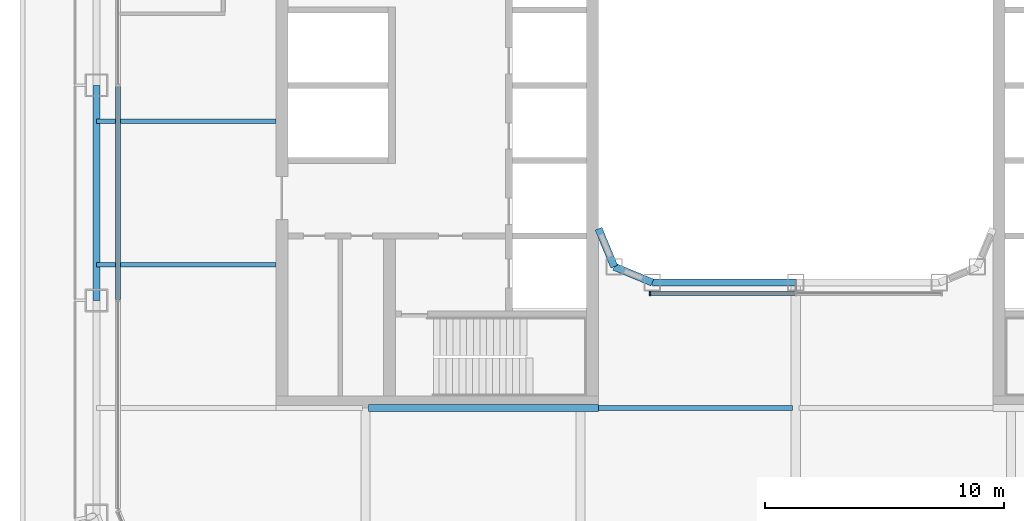
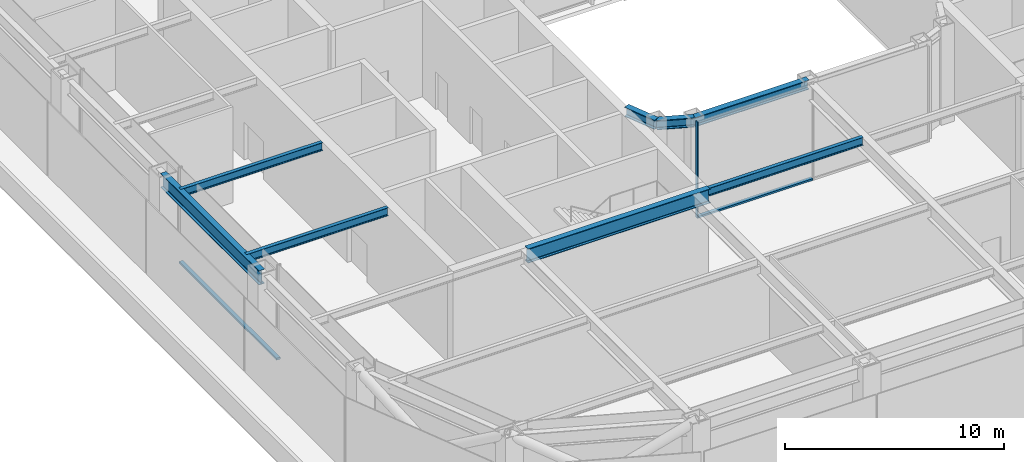
# One storey, part 3 of 21: 8 beams, 3 members, 2 elements without a shape of their own.
"""IFC4 building model written with IfcOpenShell, lengths in metres."""

import ifcopenshell
import ifcopenshell.guid

model = None  # the IFC model being written
_history = None  # IfcOwnerHistory: only IFC2X3 demands one
_inside = {}  # id of a spatial element -> (the spatial element, [elements in it])
_under = {}  # id of a project, library or spatial element -> (it, [spatial elements below it])
_declared = {}  # id of a project -> (the project, [libraries it declares])
_typed = {}  # id of a type object -> (the type object, [elements of that type])
_made_of = {}  # id of a material, layer set ... -> (it, [elements and type objects made of it])


def new_model(schema):
    """Start an empty IFC model of exactly this schema.

    Asked for "IFC4X3", IfcOpenShell would pick the latest addendum, in which some entities
    have other attributes; the version numbers below select the first issue.
    IFC2X3 requires an IfcOwnerHistory on every rooted entity: one is made here for all.
    """
    global model, _history
    if schema == "IFC4X3":
        model = ifcopenshell.file(schema_version=(4, 3, 0, 0))
    else:
        model = ifcopenshell.file(schema=schema)
    _inside.clear()
    _under.clear()
    _declared.clear()
    _typed.clear()
    _made_of.clear()
    _history = None
    if model.schema == "IFC2X3":
        org = make("IfcOrganization", Name="unknown")
        user = make(
            "IfcPersonAndOrganization",
            ThePerson=make("IfcPerson", FamilyName="unknown"),
            TheOrganization=org,
        )
        app = make(
            "IfcApplication",
            ApplicationDeveloper=org,
            Version="unknown",
            ApplicationFullName="unknown",
            ApplicationIdentifier="unknown",
        )
        _history = make(
            "IfcOwnerHistory",
            OwningUser=user,
            OwningApplication=app,
            ChangeAction="ADDED",
            CreationDate=0,
        )
    return model


def make(cls, **values):
    """One entity of the class cls with the attributes given. An attribute that is None is left unset."""
    return model.create_entity(
        cls, **{name: value for name, value in values.items() if value is not None}
    )


def rooted(cls, **values):
    """An entity with a GlobalId (a new one), such as an element, a storey or a relation."""
    return make(cls, GlobalId=ifcopenshell.guid.new(), OwnerHistory=_history, **values)


def si_unit(unit_type, name, prefix=None):
    """IfcSIUnit, for example si_unit("LENGTHUNIT", "METRE", prefix="MILLI")."""
    return make("IfcSIUnit", UnitType=unit_type, Prefix=prefix, Name=name)


def assignment(units):
    """IfcUnitAssignment: the units of a project."""
    return None if units is None else make("IfcUnitAssignment", Units=units)


def point(xyz):
    """IfcCartesianPoint."""
    return None if xyz is None else make("IfcCartesianPoint", Coordinates=xyz)


def direction(xyz):
    """IfcDirection."""
    return None if xyz is None else make("IfcDirection", DirectionRatios=xyz)


def frame(location, z_axis=None, x_axis=None):
    """IfcAxis2Placement3D, a coordinate frame: its origin and axes. An axis left out is left unset."""
    return make(
        "IfcAxis2Placement3D",
        Location=point(location),
        Axis=direction(z_axis),
        RefDirection=direction(x_axis),
    )


def frame_2d(location, x_axis=None):
    """IfcAxis2Placement2D, a coordinate frame in the plane: its origin and x axis."""
    return make(
        "IfcAxis2Placement2D", Location=point(location), RefDirection=direction(x_axis)
    )


def origin():
    """The frame at (0, 0, 0) with its axes left unset."""
    return frame((0.0, 0.0, 0.0))


def origin_2d():
    """The frame at (0, 0) in the plane with its x axis left unset."""
    return frame_2d((0.0, 0.0))


def place(relative_to, where):
    """IfcLocalPlacement: puts the frame where relative to a parent placement (None: the world)."""
    return make(
        "IfcLocalPlacement", PlacementRelTo=relative_to, RelativePlacement=where
    )


def context(
    kind, dimensions, precision=None, world=None, true_north=None, identifier=None
):
    """IfcGeometricRepresentationContext, for example the 3D "Model" context."""
    return make(
        "IfcGeometricRepresentationContext",
        ContextIdentifier=identifier,
        ContextType=kind,
        CoordinateSpaceDimension=dimensions,
        Precision=precision,
        WorldCoordinateSystem=world,
        TrueNorth=true_north,
    )


def subcontext(parent, identifier, kind, view, scale=None):
    """IfcGeometricRepresentationSubContext, for example "Body" below "Model"."""
    return make(
        "IfcGeometricRepresentationSubContext",
        ContextIdentifier=identifier,
        ContextType=kind,
        ParentContext=parent,
        TargetScale=scale,
        TargetView=view,
    )


def project(units=None, contexts=None):
    """IfcProject with its units and contexts."""
    return rooted(
        "IfcProject",
        Name="project",
        RepresentationContexts=contexts,
        UnitsInContext=assignment(units),
    )


def spatial(cls, under=None, at=None, **own):
    """A site, building, storey or space (cls), placed at a placement, below another one or the project."""
    s = rooted(cls, ObjectPlacement=at, **own)
    if under is not None:
        _under.setdefault(under.id(), (under, []))[1].append(s)
    return s


def profile(cls, at=None, kind="AREA", **sizes):
    """A parametric profile (cls). Its sizes go by their IFC names, for example OverallWidth=200.0."""
    return make(cls, ProfileType=kind, Position=at, **sizes)


def rectangle(**sizes):
    """IfcRectangleProfileDef."""
    return profile("IfcRectangleProfileDef", **sizes)


def i_section(**sizes):
    """IfcIShapeProfileDef."""
    return profile("IfcIShapeProfileDef", **sizes)


def extrude(swept, where, along, depth):
    """IfcExtrudedAreaSolid: the profile swept, set in the frame where, extruded along a direction by depth."""
    return make(
        "IfcExtrudedAreaSolid",
        SweptArea=swept,
        Position=where,
        ExtrudedDirection=direction(along),
        Depth=depth,
    )


def shape(context_of_items, identifier, shape_type, items):
    """IfcShapeRepresentation: the items that make up one representation, for example the "Body"."""
    return make(
        "IfcShapeRepresentation",
        ContextOfItems=context_of_items,
        RepresentationIdentifier=identifier,
        RepresentationType=shape_type,
        Items=items,
    )


def material(Name=None, Category=None):
    """IfcMaterial."""
    return make("IfcMaterial", Name=Name, Category=Category)


def layer(
    of_material, thickness, ventilated=None, Name=None, Category=None, Priority=None
):
    """IfcMaterialLayer: one layer of a wall or slab, of a material (None: an air gap)."""
    return make(
        "IfcMaterialLayer",
        Material=of_material,
        LayerThickness=thickness,
        IsVentilated=ventilated,
        Name=Name,
        Category=Category,
        Priority=Priority,
    )


def layer_set(layers, Name=None):
    """IfcMaterialLayerSet."""
    return make("IfcMaterialLayerSet", MaterialLayers=layers, LayerSetName=Name)


def material_profile(
    of_material, cross_section, Name=None, Category=None, Priority=None
):
    """IfcMaterialProfile: a cross section and its material."""
    return make(
        "IfcMaterialProfile",
        Name=Name,
        Material=of_material,
        Profile=cross_section,
        Priority=Priority,
        Category=Category,
    )


def profile_set(profiles, Name=None, composite=None):
    """IfcMaterialProfileSet."""
    return make(
        "IfcMaterialProfileSet",
        Name=Name,
        MaterialProfiles=profiles,
        CompositeProfile=composite,
    )


def made_of(thing, what):
    """Note that an element or type object is made of a material, layer set ...; save() writes the relation."""
    if what is not None:
        _made_of.setdefault(what.id(), (what, []))[1].append(thing)
    return thing


def type_object(cls, material=None, **own):
    """A type object (cls), such as IfcWallType, which elements share."""
    return made_of(rooted(cls, **own), material)


def element(
    cls,
    number,
    at=None,
    inside=None,
    cuts=None,
    type_object=None,
    material=None,
    context=None,
    identifier="Body",
    shape_type=None,
    held_by="IfcProductDefinitionShape",
    body=None,
    shapes=None,
    **own,
):
    """One element of the class cls, such as IfcWall. Its Tag is "e" and its number.

    at: its placement. inside: the storey or other place that contains it. cuts: it is an
    opening in that element (IfcRelVoidsElement). A single representation is given by context,
    identifier, shape_type and body (its items); several are given by shapes. held_by: the class
    of the entity that holds the representations. save() writes the other relations.
    """
    e = rooted(cls, Tag="e%d" % number, ObjectPlacement=at, **own)
    if body is not None:
        shapes = [shape(context, identifier, shape_type, body)]
    if shapes is not None:
        e.Representation = make(held_by, Representations=shapes)
    if inside is not None:
        _inside.setdefault(inside.id(), (inside, []))[1].append(e)
    if cuts is not None:
        rooted(
            "IfcRelVoidsElement", RelatingBuildingElement=cuts, RelatedOpeningElement=e
        )
    if type_object is not None:
        _typed.setdefault(type_object.id(), (type_object, []))[1].append(e)
    return made_of(e, material)


def aggregate(whole, parts):
    """IfcRelAggregates: a whole, such as a stair, and the parts it consists of."""
    return rooted("IfcRelAggregates", RelatingObject=whole, RelatedObjects=parts)


def save(model, path):
    """Write the relations noted so far, then the file.

    IfcRelAggregates (storeys below a building ...), IfcRelContainedInSpatialStructure (elements
    in a storey), IfcRelDefinesByType, IfcRelAssociatesMaterial and IfcRelDeclares: one each for
    every whole, place, type object, material and project.
    """
    for whole, parts in _under.values():
        aggregate(whole, parts)
    for where, things in _inside.values():
        rooted(
            "IfcRelContainedInSpatialStructure",
            RelatedElements=things,
            RelatingStructure=where,
        )
    for kind, things in _typed.values():
        rooted("IfcRelDefinesByType", RelatedObjects=things, RelatingType=kind)
    for what, things in _made_of.values():
        rooted("IfcRelAssociatesMaterial", RelatedObjects=things, RelatingMaterial=what)
    for by, libraries in _declared.values():
        rooted("IfcRelDeclares", RelatingContext=by, RelatedDefinitions=libraries)
    model.write(path)


model = new_model("IFC4")

# Units and contexts
model_context = context("Model", 3, precision=1e-05, world=origin(), true_north=direction((0.0, 1.0)))
body_context = subcontext(model_context, "Body", "Model", "MODEL_VIEW")
ifc_project = project(units=[si_unit("LENGTHUNIT", "METRE"), si_unit("AREAUNIT", "SQUARE_METRE"), si_unit("VOLUMEUNIT", "CUBIC_METRE"), si_unit("PLANEANGLEUNIT", "RADIAN"), si_unit("MASSUNIT", "GRAM", prefix="KILO")], contexts=[model_context])

# Site, building, storey
site_placement = place(None, origin())
site = spatial("IfcSite", under=ifc_project, at=site_placement, CompositionType="ELEMENT")
building_placement = place(site_placement, origin())
building = spatial("IfcBuilding", under=site, at=building_placement, Name="Siwar Civic Tower", CompositionType="ELEMENT")
storey_placement = place(building_placement, frame((0.0, 0.0, 99.199951171875)))
storey = spatial("IfcBuildingStorey", under=building, at=storey_placement, Name="L21", CompositionType="ELEMENT", Elevation=99.199951171875)

# Curtain wall, member
ifc_material_1 = material(Name="Aluminium and glass", Category="aluminium")
ifc_layer_1 = layer(ifc_material_1, 0.179931640625)
ifc_layer_set_1 = layer_set([ifc_layer_1], Name="Aluminium and glass")
curtain_wall_type_1 = type_object("IfcCurtainWallType", Name="ENV-CW-W", PredefinedType="NOTDEFINED", material=ifc_layer_set_1)
curtain_wall_1_placement = place(storey_placement, origin())
curtain_wall_1 = element("IfcCurtainWall", 1, at=curtain_wall_1_placement, inside=storey, type_object=curtain_wall_type_1, Name="Curtain wall W WS", PredefinedType="NOTDEFINED")
ifc_material_2 = material(Name="Aluminium 6063-T6", Category="aluminium")
ifc_material_profile_1 = material_profile(ifc_material_2, rectangle(XDim=0.179931640625, YDim=0.06005859375, at=origin_2d()), Name="AL 180x60")
ifc_profile_set_1 = profile_set([ifc_material_profile_1], Name="Aluminium 6063-T6")
member_type_1 = type_object("IfcMemberType", Name="ENV-MULLION-W", PredefinedType="MULLION", material=ifc_profile_set_1)
member_1_placement = place(storey_placement, frame((-6.091552734375, -8.7099609375, 0.0), z_axis=(0.0, 0.0, 1.0), x_axis=(0.0, 1.0, 0.0)))
member_1 = element("IfcMember", 2, at=member_1_placement, type_object=member_type_1, Name="Mullion W WS 1", PredefinedType="MULLION", context=body_context, shape_type="SweptSolid", body=[
    extrude(rectangle(XDim=0.179931640625, YDim=0.06005859375, at=origin_2d()), origin(), (0.0, 0.0, 1.0), 5.35009765625),
])

ifc_material_3 = material(Name="Aluminium and glass", Category="aluminium")
ifc_layer_2 = layer(ifc_material_3, 0.199951171875)
ifc_layer_set_2 = layer_set([ifc_layer_2], Name="Aluminium and glass")
curtain_wall_type_2 = type_object("IfcCurtainWallType", Name="ENV-CW-B", PredefinedType="NOTDEFINED", material=ifc_layer_set_2)
curtain_wall_2_placement = place(storey_placement, origin())
curtain_wall_2 = element("IfcCurtainWall", 3, at=curtain_wall_2_placement, inside=storey, type_object=curtain_wall_type_2, Name="Curtain wall B W", PredefinedType="NOTDEFINED")
ifc_material_4 = material(Name="Aluminium 6063-T6", Category="aluminium")
ifc_material_profile_2 = material_profile(ifc_material_4, rectangle(XDim=0.199951171875, YDim=0.110107421875, at=origin_2d()), Name="AL 200x110")
ifc_profile_set_2 = profile_set([ifc_material_profile_2], Name="Aluminium 6063-T6")
member_type_2 = type_object("IfcMemberType", Name="ENV-TRANSOM-B", PredefinedType="USERDEFINED", material=ifc_profile_set_2)
member_2_placement = place(storey_placement, frame((-28.35009765625, -0.032470703125, 0.054931640625), z_axis=(0.0, -1.0, 0.0), x_axis=(1.0, 0.0, 0.0)))
member_2 = element("IfcMember", 4, at=member_2_placement, type_object=member_type_2, Name="Transom B W 3", ObjectType="TRANSOM", PredefinedType="USERDEFINED", context=body_context, shape_type="SweptSolid", body=[
    extrude(rectangle(XDim=0.199951171875, YDim=0.110107421875, at=origin_2d()), origin(), (0.0, 0.0, 1.0), 8.93505859375),
])
aggregate(curtain_wall_2, [member_2])

# Member
ifc_material_5 = material(Name="Aluminium 6063-T6", Category="aluminium")
ifc_material_profile_3 = material_profile(ifc_material_5, rectangle(XDim=0.179931640625, YDim=0.10009765625, at=origin_2d()), Name="AL 180x100")
ifc_profile_set_3 = profile_set([ifc_material_profile_3], Name="Aluminium 6063-T6")
member_type_3 = type_object("IfcMemberType", Name="ENV-TRANSOM-W", PredefinedType="USERDEFINED", material=ifc_profile_set_3)
member_3_placement = place(storey_placement, frame((-6.0615234375, -8.7099609375, 0.050048828125), z_axis=(1.0, 0.0, 0.0), x_axis=(0.0, 1.0, 0.0)))
member_3 = element("IfcMember", 5, at=member_3_placement, type_object=member_type_3, Name="Transom W WS 1", ObjectType="TRANSOM", PredefinedType="USERDEFINED", context=body_context, shape_type="SweptSolid", body=[
    extrude(rectangle(XDim=0.179931640625, YDim=0.10009765625, at=origin_2d()), origin(), (0.0, 0.0, 1.0), 6.031494140625),
])

aggregate(curtain_wall_1, [member_1, member_3])

# Beams
ifc_material_6 = material(Name="Steel S355", Category="steel")
ifc_material_profile_4 = material_profile(ifc_material_6, i_section(OverallWidth=0.18994140625, OverallDepth=0.449951171875, WebThickness=0.009521484375, FlangeThickness=0.0146484375, FilletRadius=0.02099609375, at=origin_2d()), Name="IPE450")
ifc_profile_set_4 = profile_set([ifc_material_profile_4], Name="Steel S355")
beam_type_1 = type_object("IfcBeamType", Name="STR-FB-IPE450", PredefinedType="JOIST", material=ifc_profile_set_4)
beam_1_placement = place(storey_placement, frame((-8.25, -13.5, 5.125), z_axis=(1.0, 0.0, 0.0), x_axis=(0.0, 1.0, 0.0)))
element("IfcBeam", 6, at=beam_1_placement, inside=storey, type_object=beam_type_1, Name="L21/bm/F016", PredefinedType="JOIST", context=body_context, shape_type="SweptSolid", body=[
    extrude(i_section(OverallWidth=0.18994140625, OverallDepth=0.449951171875, WebThickness=0.009521484375, FlangeThickness=0.0146484375, FilletRadius=0.02099609375, at=origin_2d()), origin(), (0.0, 0.0, 1.0), 8.1201171875),
])
for number, where, z_axis, x_axis, name in (
    (7, (-29.25, -7.5, 5.125), (1.0, 0.0, 0.0), (0.0, 1.0, 0.0), "L21/bm/F021"),
    (8, (-29.25, -1.5, 5.125), (1.0, 0.0, 0.0), (0.0, 1.0, 0.0), "L21/bm/F023"),
):
    element("IfcBeam", number, at=place(storey_placement, frame(where, z_axis=z_axis, x_axis=x_axis)), inside=storey, type_object=beam_type_1, Name=name, PredefinedType="JOIST", context=body_context, shape_type="SweptSolid", body=[
        extrude(i_section(OverallWidth=0.18994140625, OverallDepth=0.449951171875, WebThickness=0.009521484375, FlangeThickness=0.0146484375, FilletRadius=0.02099609375, at=origin_2d()), origin(), (0.0, 0.0, 1.0), 7.5),
    ])
ifc_material_7 = material(Name="Steel S355", Category="steel")
ifc_material_profile_5 = material_profile(ifc_material_7, i_section(OverallWidth=0.300048828125, OverallDepth=0.800048828125, WebThickness=0.017578125, FlangeThickness=0.032958984375, FilletRadius=0.030029296875, at=origin_2d()), Name="HEB800")
ifc_profile_set_5 = profile_set([ifc_material_profile_5], Name="Steel S355")
beam_type_2 = type_object("IfcBeamType", Name="STR-PG-HEB800", PredefinedType="BEAM", material=ifc_profile_set_5)
beam_2_placement = place(storey_placement, frame((-17.8701171875, -13.5, 4.949951171875), z_axis=(1.0, 0.0, 0.0), x_axis=(0.0, 1.0, 0.0)))
element("IfcBeam", 9, at=beam_2_placement, inside=storey, type_object=beam_type_2, Name="L21/bm/F015", PredefinedType="BEAM", context=body_context, shape_type="SweptSolid", body=[
    extrude(i_section(OverallWidth=0.300048828125, OverallDepth=0.800048828125, WebThickness=0.017578125, FlangeThickness=0.032958984375, FilletRadius=0.030029296875, at=origin_2d()), origin(), (0.0, 0.0, 1.0), 9.6201171875),
])
ifc_material_8 = material(Name="Steel S355", Category="steel")
ifc_material_profile_6 = material_profile(ifc_material_8, i_section(OverallWidth=0.305908203125, OverallDepth=0.52392578125, WebThickness=0.02099609375, FlangeThickness=0.0400390625, FilletRadius=0.027099609375, at=origin_2d()), Name="HEM500")
ifc_profile_set_6 = profile_set([ifc_material_profile_6], Name="Steel S355")
beam_type_3 = type_object("IfcBeamType", Name="STR-RB-HEM500", PredefinedType="BEAM", material=ifc_profile_set_6)
beam_3_placement = place(storey_placement, frame((-7.591064453125, -7.591064453125, 5.088134765625), z_axis=(0.923901072997, -0.382631424892, 0.0), x_axis=(0.382631424892, 0.923901072997, 0.0)))
element("IfcBeam", 10, at=beam_3_placement, inside=storey, type_object=beam_type_3, Name="L21/bm/RS0", PredefinedType="BEAM", context=body_context, shape_type="SweptSolid", body=[
    extrude(i_section(OverallWidth=0.305908203125, OverallDepth=0.52392578125, WebThickness=0.02099609375, FlangeThickness=0.0400390625, FilletRadius=0.027099609375, at=origin_2d()), origin(), (0.0, 0.0, 1.0), 1.72216796875),
])
beam_4_placement = place(storey_placement, frame((-6.0, -8.25, 5.088134765625), z_axis=(1.0, 0.0, 0.0), x_axis=(0.0, 1.0, 0.0)))
element("IfcBeam", 11, at=beam_4_placement, inside=storey, type_object=beam_type_3, Name="L21/bm/RS1", PredefinedType="BEAM", context=body_context, shape_type="SweptSolid", body=[
    extrude(i_section(OverallWidth=0.305908203125, OverallDepth=0.52392578125, WebThickness=0.02099609375, FlangeThickness=0.0400390625, FilletRadius=0.027099609375, at=origin_2d()), origin(), (0.0, 0.0, 1.0), 6.0),
])
beam_5_placement = place(storey_placement, frame((-7.591064453125, -7.591064453125, 5.088134765625), z_axis=(-0.382631424892, 0.923901072997, 0.0), x_axis=(-0.923901072997, -0.382631424892, 0.0)))
element("IfcBeam", 12, at=beam_5_placement, inside=storey, type_object=beam_type_3, Name="L21/bm/RSEW", PredefinedType="BEAM", context=body_context, shape_type="SweptSolid", body=[
    extrude(i_section(OverallWidth=0.305908203125, OverallDepth=0.52392578125, WebThickness=0.02099609375, FlangeThickness=0.0400390625, FilletRadius=0.027099609375, at=origin_2d()), origin(), (0.0, 0.0, 1.0), 1.72216796875),
])
ifc_material_9 = material(Name="Steel S355", Category="steel")
ifc_material_profile_7 = material_profile(ifc_material_9, i_section(OverallWidth=0.300048828125, OverallDepth=0.800048828125, WebThickness=0.017578125, FlangeThickness=0.032958984375, FilletRadius=0.030029296875, at=origin_2d()), Name="HEB800")
ifc_profile_set_7 = profile_set([ifc_material_profile_7], Name="Steel S355")
beam_type_4 = type_object("IfcBeamType", Name="STR-SB-HEB800", PredefinedType="BEAM", material=ifc_profile_set_7)
beam_6_placement = place(storey_placement, frame((-29.25, 0.0, 4.949951171875), z_axis=(0.0, -1.0, 0.0), x_axis=(1.0, 0.0, 0.0)))
element("IfcBeam", 13, at=beam_6_placement, inside=storey, type_object=beam_type_4, Name="L21/bm/SW-2", PredefinedType="BEAM", context=body_context, shape_type="SweptSolid", body=[
    extrude(i_section(OverallWidth=0.300048828125, OverallDepth=0.800048828125, WebThickness=0.017578125, FlangeThickness=0.032958984375, FilletRadius=0.030029296875, at=origin_2d()), origin(), (0.0, 0.0, 1.0), 9.0),
])

save(model, "model.ifc")
